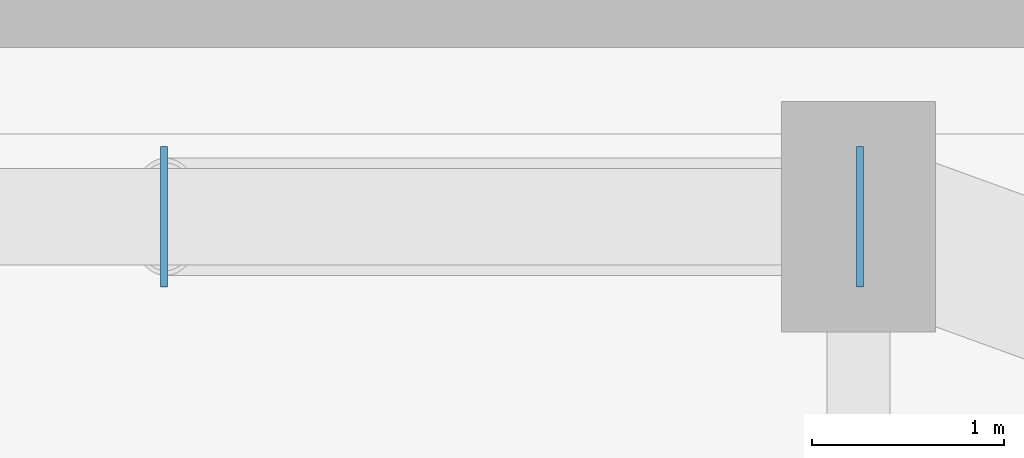
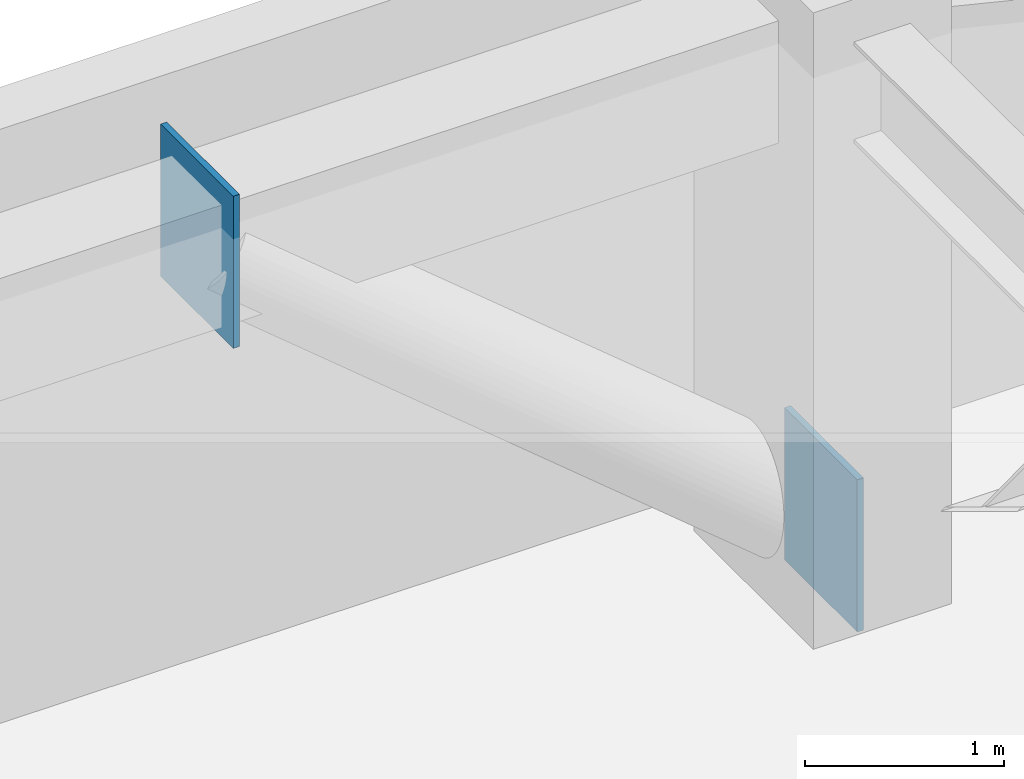
# One storey, part 17 of 24: 2 plates.
"""IFC4 building model written with IfcOpenShell, lengths in metres."""

from ifc_helpers import new_model, si_unit, direction, frame, origin, origin_2d, place, context, subcontext, project, spatial, rectangle, extrude, material, layer, layer_set, type_object, element, save


model = new_model("IFC4")

# Units and contexts
model_context = context("Model", 3, precision=1e-05, world=origin(), true_north=direction((0.0, 1.0)))
body_context = subcontext(model_context, "Body", "Model", "MODEL_VIEW")
ifc_project = project(units=[si_unit("LENGTHUNIT", "METRE"), si_unit("AREAUNIT", "SQUARE_METRE"), si_unit("VOLUMEUNIT", "CUBIC_METRE"), si_unit("PLANEANGLEUNIT", "RADIAN"), si_unit("MASSUNIT", "GRAM", prefix="KILO")], contexts=[model_context])

# Site, building, storey
site_placement = place(None, origin())
site = spatial("IfcSite", under=ifc_project, at=site_placement, CompositionType="ELEMENT")
building_placement = place(site_placement, origin())
building = spatial("IfcBuilding", under=site, at=building_placement, Name="Kiyonajd Concourse Tower", CompositionType="ELEMENT")
storey_placement = place(building_placement, frame((0.0, 0.0, 101.39990234375)))
storey = spatial("IfcBuildingStorey", under=building, at=storey_placement, Name="L26", CompositionType="ELEMENT", Elevation=101.39990234375)

# Plates
ifc_material = material(Name="Steel ASTM A572 Grade 50", Category="steel")
ifc_layer = layer(ifc_material, 0.028076171875)
ifc_layer_set = layer_set([ifc_layer], Name="Steel ASTM A572 Grade 50")
plate_type = type_object("IfcPlateType", Name="PL-CAP-450", PredefinedType="USERDEFINED", material=ifc_layer_set)
for number, where, z_axis, x_axis, name in (
    (1, (63.6083984375, 61.199951171875, -0.17333984375), (0.0, 0.0, 1.0), (1.0, 0.0, 0.0), "L26 Hollow Brace End Cap Plate PBN"),
    (2, (59.991455078125, 61.199951171875, 2.83056640625), (0.0, 0.0, 1.0), (-1.0, 0.0, 0.0), "L26 Hollow Brace Top Cap Plate PBN"),
):
    element("IfcPlate", number, at=place(storey_placement, frame(where, z_axis=z_axis, x_axis=x_axis)), inside=storey, type_object=plate_type, Name=name, ObjectType="CAP PLATE", PredefinedType="USERDEFINED", context=body_context, shape_type="SweptSolid", body=[
        extrude(rectangle(XDim=0.035888671875, YDim=0.72998046875, at=origin_2d()), origin(), (0.0, 0.0, 1.0), 0.93310546875),
    ])

save(model, "model.ifc")
